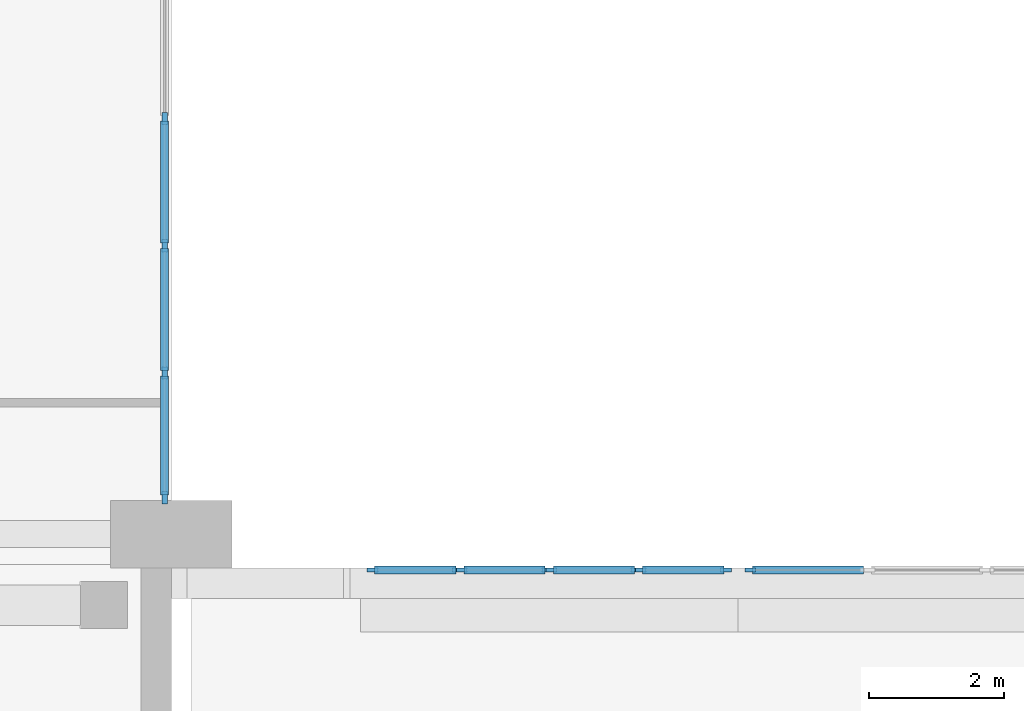
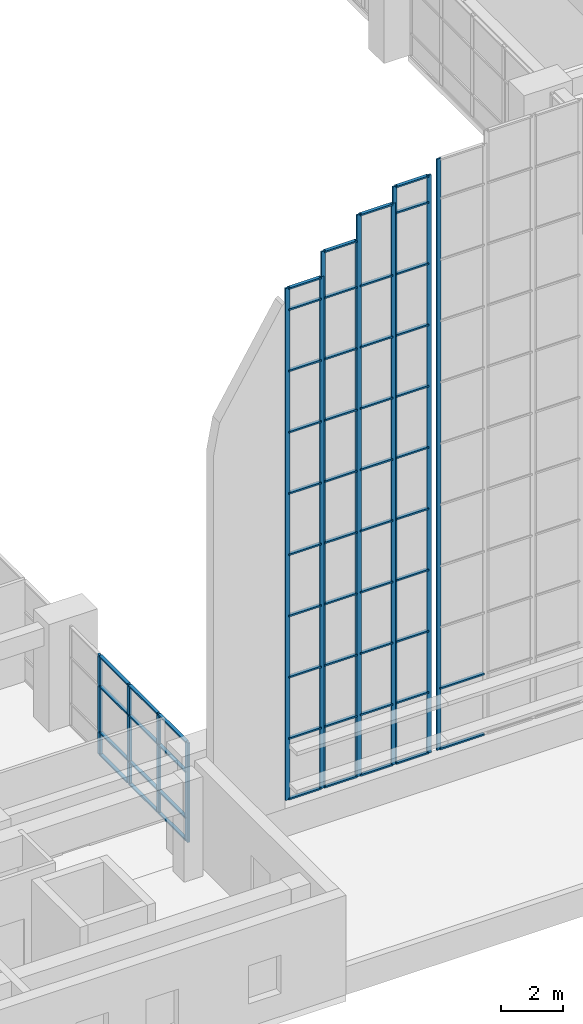
# One storey, part 2 of 45: 68 members, 6 elements without a shape of their own.
"""IFC4 building model written with IfcOpenShell, lengths in metres."""

from ifc_helpers import new_model, si_unit, direction, frame, origin, origin_2d, place, context, subcontext, project, spatial, rectangle, extrude, material, material_profile, profile_set, type_object, element, aggregate, save


model = new_model("IFC4")

# Units and contexts
model_context = context("Model", 3, precision=1e-05, world=origin(), true_north=direction((0.0, 1.0)))
body_context = subcontext(model_context, "Body", "Model", "MODEL_VIEW")
ifc_project = project(units=[si_unit("LENGTHUNIT", "METRE"), si_unit("AREAUNIT", "SQUARE_METRE"), si_unit("VOLUMEUNIT", "CUBIC_METRE"), si_unit("PLANEANGLEUNIT", "RADIAN"), si_unit("MASSUNIT", "GRAM", prefix="KILO")], contexts=[model_context])

# Site, building, storey
site_placement = place(None, origin())
site = spatial("IfcSite", under=ifc_project, at=site_placement, CompositionType="ELEMENT")
building_placement = place(site_placement, origin())
building = spatial("IfcBuilding", under=site, at=building_placement, Name="Elmora Arch Market Hall", CompositionType="ELEMENT")
storey_placement = place(building_placement, frame((0.0, 0.0, 6.0)))
storey = spatial("IfcBuildingStorey", under=building, at=storey_placement, Name="L01", CompositionType="ELEMENT", Elevation=6.0)

# Curtain wall, members
ifc_material_1 = material(Name="Aluminium", Category="aluminium")
curtain_wall_type_1 = type_object("IfcCurtainWallType", Name="Gable curtain wall", PredefinedType="NOTDEFINED", material=ifc_material_1)
curtain_wall_1_placement = place(storey_placement, origin())
curtain_wall_1 = element("IfcCurtainWall", 1, at=curtain_wall_1_placement, inside=storey, type_object=curtain_wall_type_1, Name="South gable glazing 1", PredefinedType="NOTDEFINED")
ifc_material_2 = material(Name="Aluminium", Category="aluminium")
ifc_material_profile_1 = material_profile(ifc_material_2, rectangle(XDim=0.06005859375, YDim=0.159912109375, at=origin_2d()), Name="AL 60x160")
ifc_profile_set_1 = profile_set([ifc_material_profile_1], Name="Aluminium")
member_type_1 = type_object("IfcMemberType", Name="Mullion 60x160", PredefinedType="MULLION", material=ifc_profile_set_1)
member_1_placement = place(storey_placement, frame((17.97998046875, 26.919921875, 1.199951171875), z_axis=(0.0, 0.0, 1.0), x_axis=(0.0, 1.0, 0.0)))
member_1 = element("IfcMember", 2, at=member_1_placement, type_object=member_type_1, Name="CW8 mullion 1", PredefinedType="MULLION", context=body_context, shape_type="SweptSolid", body=[
    extrude(rectangle(XDim=0.06005859375, YDim=0.159912109375, at=origin_2d()), origin(), (0.0, 0.0, 1.0), 20.05810546875),
])
member_2_placement = place(storey_placement, frame((19.2451171875, 26.919921875, 1.199951171875), z_axis=(0.0, 0.0, 1.0), x_axis=(0.0, 1.0, 0.0)))
member_2 = element("IfcMember", 3, at=member_2_placement, type_object=member_type_1, Name="CW8 mullion 2", PredefinedType="MULLION", context=body_context, shape_type="SweptSolid", body=[
    extrude(rectangle(XDim=0.06005859375, YDim=0.159912109375, at=origin_2d()), origin(), (0.0, 0.0, 1.0), 20.05810546875),
])

curtain_wall_2_placement = place(storey_placement, origin())
curtain_wall_2 = element("IfcCurtainWall", 4, at=curtain_wall_2_placement, inside=storey, type_object=curtain_wall_type_1, Name="South gable glazing 2", PredefinedType="NOTDEFINED")
member_3_placement = place(storey_placement, frame((19.304931640625, 26.919921875, 1.199951171875), z_axis=(0.0, 0.0, 1.0), x_axis=(0.0, 1.0, 0.0)))
member_3 = element("IfcMember", 5, at=member_3_placement, type_object=member_type_1, Name="CW8 mullion 1", PredefinedType="MULLION", context=body_context, shape_type="SweptSolid", body=[
    extrude(rectangle(XDim=0.06005859375, YDim=0.159912109375, at=origin_2d()), origin(), (0.0, 0.0, 1.0), 21.031982421875),
])
member_4_placement = place(storey_placement, frame((20.570068359375, 26.919921875, 1.199951171875), z_axis=(0.0, 0.0, 1.0), x_axis=(0.0, 1.0, 0.0)))
member_4 = element("IfcMember", 6, at=member_4_placement, type_object=member_type_1, Name="CW8 mullion 2", PredefinedType="MULLION", context=body_context, shape_type="SweptSolid", body=[
    extrude(rectangle(XDim=0.06005859375, YDim=0.159912109375, at=origin_2d()), origin(), (0.0, 0.0, 1.0), 21.031982421875),
])

curtain_wall_3_placement = place(storey_placement, origin())
curtain_wall_3 = element("IfcCurtainWall", 7, at=curtain_wall_3_placement, inside=storey, type_object=curtain_wall_type_1, Name="South gable glazing 3", PredefinedType="NOTDEFINED")
member_5_placement = place(storey_placement, frame((20.6298828125, 26.919921875, 1.199951171875), z_axis=(0.0, 0.0, 1.0), x_axis=(0.0, 1.0, 0.0)))
member_5 = element("IfcMember", 8, at=member_5_placement, type_object=member_type_1, Name="CW8 mullion 1", PredefinedType="MULLION", context=body_context, shape_type="SweptSolid", body=[
    extrude(rectangle(XDim=0.06005859375, YDim=0.159912109375, at=origin_2d()), origin(), (0.0, 0.0, 1.0), 22.007080078125),
])
member_6_placement = place(storey_placement, frame((21.89501953125, 26.919921875, 1.199951171875), z_axis=(0.0, 0.0, 1.0), x_axis=(0.0, 1.0, 0.0)))
member_6 = element("IfcMember", 9, at=member_6_placement, type_object=member_type_1, Name="CW8 mullion 2", PredefinedType="MULLION", context=body_context, shape_type="SweptSolid", body=[
    extrude(rectangle(XDim=0.06005859375, YDim=0.159912109375, at=origin_2d()), origin(), (0.0, 0.0, 1.0), 22.007080078125),
])

curtain_wall_4_placement = place(storey_placement, origin())
curtain_wall_4 = element("IfcCurtainWall", 10, at=curtain_wall_4_placement, inside=storey, type_object=curtain_wall_type_1, Name="South gable glazing 4", PredefinedType="NOTDEFINED")
member_7_placement = place(storey_placement, frame((21.955078125, 26.919921875, 1.199951171875), z_axis=(0.0, 0.0, 1.0), x_axis=(0.0, 1.0, 0.0)))
member_7 = element("IfcMember", 11, at=member_7_placement, type_object=member_type_1, Name="CW8 mullion 1", PredefinedType="MULLION", context=body_context, shape_type="SweptSolid", body=[
    extrude(rectangle(XDim=0.06005859375, YDim=0.159912109375, at=origin_2d()), origin(), (0.0, 0.0, 1.0), 22.64501953125),
])
member_8_placement = place(storey_placement, frame((23.219970703125, 26.919921875, 1.199951171875), z_axis=(0.0, 0.0, 1.0), x_axis=(0.0, 1.0, 0.0)))
member_8 = element("IfcMember", 12, at=member_8_placement, type_object=member_type_1, Name="CW8 mullion 2", PredefinedType="MULLION", context=body_context, shape_type="SweptSolid", body=[
    extrude(rectangle(XDim=0.06005859375, YDim=0.159912109375, at=origin_2d()), origin(), (0.0, 0.0, 1.0), 22.64501953125),
])

# Curtain wall, member
curtain_wall_5_placement = place(storey_placement, origin())
curtain_wall_5 = element("IfcCurtainWall", 13, at=curtain_wall_5_placement, inside=storey, type_object=curtain_wall_type_1, Name="South gable glazing 5", PredefinedType="NOTDEFINED")
member_9_placement = place(storey_placement, frame((23.580078125, 26.919921875, 1.199951171875), z_axis=(0.0, 0.0, 1.0), x_axis=(0.0, 1.0, 0.0)))
member_9 = element("IfcMember", 14, at=member_9_placement, type_object=member_type_1, Name="CW8 mullion 1", PredefinedType="MULLION", context=body_context, shape_type="SweptSolid", body=[
    extrude(rectangle(XDim=0.06005859375, YDim=0.159912109375, at=origin_2d()), origin(), (0.0, 0.0, 1.0), 23.157958984375),
])

# Curtain wall, members
ifc_material_3 = material(Name="Aluminium", Category="aluminium")
curtain_wall_type_2 = type_object("IfcCurtainWallType", Name="Hall front curtain wall", PredefinedType="NOTDEFINED", material=ifc_material_3)
curtain_wall_6_placement = place(storey_placement, origin())
curtain_wall_6 = element("IfcCurtainWall", 15, at=curtain_wall_6_placement, inside=storey, type_object=curtain_wall_type_2, Name="Wing front W L01 1", PredefinedType="NOTDEFINED")
ifc_material_4 = material(Name="Aluminium", Category="aluminium")
ifc_material_profile_2 = material_profile(ifc_material_4, rectangle(XDim=0.080078125, YDim=0.179931640625, at=origin_2d()), Name="AL 80x180")
ifc_profile_set_2 = profile_set([ifc_material_profile_2], Name="Aluminium")
member_type_2 = type_object("IfcMemberType", Name="Mullion 80x180", PredefinedType="MULLION", material=ifc_profile_set_2)
member_10_placement = place(storey_placement, frame((14.89990234375, 27.989990234375, 0.0), z_axis=(0.0, 0.0, 1.0), x_axis=(-1.0, 0.0, 0.0)))
member_10 = element("IfcMember", 16, at=member_10_placement, type_object=member_type_2, Name="CW2 mullion 1", PredefinedType="MULLION", context=body_context, shape_type="SweptSolid", body=[
    extrude(rectangle(XDim=0.080078125, YDim=0.179931640625, at=origin_2d()), origin(), (0.0, 0.0, 1.0), 3.89990234375),
])
member_11_placement = place(storey_placement, frame((14.89990234375, 29.83740234375, 0.0), z_axis=(0.0, 0.0, 1.0), x_axis=(-1.0, 0.0, 0.0)))
member_11 = element("IfcMember", 17, at=member_11_placement, type_object=member_type_2, Name="CW2 mullion 2", PredefinedType="MULLION", context=body_context, shape_type="SweptSolid", body=[
    extrude(rectangle(XDim=0.080078125, YDim=0.179931640625, at=origin_2d()), origin(), (0.0, 0.0, 1.0), 3.89990234375),
])
member_12_placement = place(storey_placement, frame((14.89990234375, 31.72509765625, 0.0), z_axis=(0.0, 0.0, 1.0), x_axis=(-1.0, 0.0, 0.0)))
member_12 = element("IfcMember", 18, at=member_12_placement, type_object=member_type_2, Name="CW2 mullion 3", PredefinedType="MULLION", context=body_context, shape_type="SweptSolid", body=[
    extrude(rectangle(XDim=0.080078125, YDim=0.179931640625, at=origin_2d()), origin(), (0.0, 0.0, 1.0), 3.89990234375),
])
member_13_placement = place(storey_placement, frame((14.89990234375, 33.612548828125, 0.0), z_axis=(0.0, 0.0, 1.0), x_axis=(-1.0, 0.0, 0.0)))
member_13 = element("IfcMember", 19, at=member_13_placement, type_object=member_type_2, Name="CW2 mullion 4", PredefinedType="MULLION", context=body_context, shape_type="SweptSolid", body=[
    extrude(rectangle(XDim=0.080078125, YDim=0.179931640625, at=origin_2d()), origin(), (0.0, 0.0, 1.0), 3.89990234375),
])
ifc_material_5 = material(Name="Aluminium", Category="aluminium")
ifc_material_profile_3 = material_profile(ifc_material_5, rectangle(XDim=0.1201171875, YDim=0.06005859375, at=origin_2d()), Name="AL 120x60")
ifc_profile_set_3 = profile_set([ifc_material_profile_3], Name="Aluminium")
member_type_3 = type_object("IfcMemberType", Name="Transom 120x60", PredefinedType="USERDEFINED", material=ifc_profile_set_3)
member_14_placement = place(storey_placement, frame((14.89990234375, 28.030029296875, 0.030029296875), z_axis=(0.0, 1.0, 0.0), x_axis=(-1.0, 0.0, 0.0)))
member_14 = element("IfcMember", 20, at=member_14_placement, type_object=member_type_3, Name="CW2 transom 1.1", ObjectType="TRANSOM", PredefinedType="USERDEFINED", context=body_context, shape_type="SweptSolid", body=[
    extrude(rectangle(XDim=0.1201171875, YDim=0.06005859375, at=origin_2d()), origin(), (0.0, 0.0, 1.0), 1.767578125),
])
member_15_placement = place(storey_placement, frame((14.89990234375, 28.030029296875, 0.89990234375), z_axis=(0.0, 1.0, 0.0), x_axis=(-1.0, 0.0, 0.0)))
member_15 = element("IfcMember", 21, at=member_15_placement, type_object=member_type_3, Name="CW2 transom 1.2", ObjectType="TRANSOM", PredefinedType="USERDEFINED", context=body_context, shape_type="SweptSolid", body=[
    extrude(rectangle(XDim=0.1201171875, YDim=0.06005859375, at=origin_2d()), origin(), (0.0, 0.0, 1.0), 1.767578125),
])
member_16_placement = place(storey_placement, frame((14.89990234375, 28.030029296875, 2.699951171875), z_axis=(0.0, 1.0, 0.0), x_axis=(-1.0, 0.0, 0.0)))
member_16 = element("IfcMember", 22, at=member_16_placement, type_object=member_type_3, Name="CW2 transom 1.3", ObjectType="TRANSOM", PredefinedType="USERDEFINED", context=body_context, shape_type="SweptSolid", body=[
    extrude(rectangle(XDim=0.1201171875, YDim=0.06005859375, at=origin_2d()), origin(), (0.0, 0.0, 1.0), 1.767578125),
])
member_17_placement = place(storey_placement, frame((14.89990234375, 28.030029296875, 3.8701171875), z_axis=(0.0, 1.0, 0.0), x_axis=(-1.0, 0.0, 0.0)))
member_17 = element("IfcMember", 23, at=member_17_placement, type_object=member_type_3, Name="CW2 transom 1.4", ObjectType="TRANSOM", PredefinedType="USERDEFINED", context=body_context, shape_type="SweptSolid", body=[
    extrude(rectangle(XDim=0.1201171875, YDim=0.06005859375, at=origin_2d()), origin(), (0.0, 0.0, 1.0), 1.767578125),
])
member_18_placement = place(storey_placement, frame((14.89990234375, 29.87744140625, 0.030029296875), z_axis=(0.0, 1.0, 0.0), x_axis=(-1.0, 0.0, 0.0)))
member_18 = element("IfcMember", 24, at=member_18_placement, type_object=member_type_3, Name="CW2 transom 2.1", ObjectType="TRANSOM", PredefinedType="USERDEFINED", context=body_context, shape_type="SweptSolid", body=[
    extrude(rectangle(XDim=0.1201171875, YDim=0.06005859375, at=origin_2d()), origin(), (0.0, 0.0, 1.0), 1.8076171875),
])
member_19_placement = place(storey_placement, frame((14.89990234375, 29.87744140625, 0.89990234375), z_axis=(0.0, 1.0, 0.0), x_axis=(-1.0, 0.0, 0.0)))
member_19 = element("IfcMember", 25, at=member_19_placement, type_object=member_type_3, Name="CW2 transom 2.2", ObjectType="TRANSOM", PredefinedType="USERDEFINED", context=body_context, shape_type="SweptSolid", body=[
    extrude(rectangle(XDim=0.1201171875, YDim=0.06005859375, at=origin_2d()), origin(), (0.0, 0.0, 1.0), 1.8076171875),
])
member_20_placement = place(storey_placement, frame((14.89990234375, 29.87744140625, 2.699951171875), z_axis=(0.0, 1.0, 0.0), x_axis=(-1.0, 0.0, 0.0)))
member_20 = element("IfcMember", 26, at=member_20_placement, type_object=member_type_3, Name="CW2 transom 2.3", ObjectType="TRANSOM", PredefinedType="USERDEFINED", context=body_context, shape_type="SweptSolid", body=[
    extrude(rectangle(XDim=0.1201171875, YDim=0.06005859375, at=origin_2d()), origin(), (0.0, 0.0, 1.0), 1.8076171875),
])
member_21_placement = place(storey_placement, frame((14.89990234375, 29.87744140625, 3.8701171875), z_axis=(0.0, 1.0, 0.0), x_axis=(-1.0, 0.0, 0.0)))
member_21 = element("IfcMember", 27, at=member_21_placement, type_object=member_type_3, Name="CW2 transom 2.4", ObjectType="TRANSOM", PredefinedType="USERDEFINED", context=body_context, shape_type="SweptSolid", body=[
    extrude(rectangle(XDim=0.1201171875, YDim=0.06005859375, at=origin_2d()), origin(), (0.0, 0.0, 1.0), 1.8076171875),
])
member_22_placement = place(storey_placement, frame((14.89990234375, 31.764892578125, 0.030029296875), z_axis=(0.0, 1.0, 0.0), x_axis=(-1.0, 0.0, 0.0)))
member_22 = element("IfcMember", 28, at=member_22_placement, type_object=member_type_3, Name="CW2 transom 3.1", ObjectType="TRANSOM", PredefinedType="USERDEFINED", context=body_context, shape_type="SweptSolid", body=[
    extrude(rectangle(XDim=0.1201171875, YDim=0.06005859375, at=origin_2d()), origin(), (0.0, 0.0, 1.0), 1.8076171875),
])
member_23_placement = place(storey_placement, frame((14.89990234375, 31.764892578125, 0.89990234375), z_axis=(0.0, 1.0, 0.0), x_axis=(-1.0, 0.0, 0.0)))
member_23 = element("IfcMember", 29, at=member_23_placement, type_object=member_type_3, Name="CW2 transom 3.2", ObjectType="TRANSOM", PredefinedType="USERDEFINED", context=body_context, shape_type="SweptSolid", body=[
    extrude(rectangle(XDim=0.1201171875, YDim=0.06005859375, at=origin_2d()), origin(), (0.0, 0.0, 1.0), 1.8076171875),
])
member_24_placement = place(storey_placement, frame((14.89990234375, 31.764892578125, 2.699951171875), z_axis=(0.0, 1.0, 0.0), x_axis=(-1.0, 0.0, 0.0)))
member_24 = element("IfcMember", 30, at=member_24_placement, type_object=member_type_3, Name="CW2 transom 3.3", ObjectType="TRANSOM", PredefinedType="USERDEFINED", context=body_context, shape_type="SweptSolid", body=[
    extrude(rectangle(XDim=0.1201171875, YDim=0.06005859375, at=origin_2d()), origin(), (0.0, 0.0, 1.0), 1.8076171875),
])
member_25_placement = place(storey_placement, frame((14.89990234375, 31.764892578125, 3.8701171875), z_axis=(0.0, 1.0, 0.0), x_axis=(-1.0, 0.0, 0.0)))
member_25 = element("IfcMember", 31, at=member_25_placement, type_object=member_type_3, Name="CW2 transom 3.4", ObjectType="TRANSOM", PredefinedType="USERDEFINED", context=body_context, shape_type="SweptSolid", body=[
    extrude(rectangle(XDim=0.1201171875, YDim=0.06005859375, at=origin_2d()), origin(), (0.0, 0.0, 1.0), 1.8076171875),
])
aggregate(curtain_wall_6, [member_10, member_11, member_12, member_13, member_14, member_15, member_16, member_17, member_18, member_19, member_20, member_21, member_22, member_23, member_24, member_25])

# Member
member_26_placement = place(storey_placement, frame((18.010009765625, 26.919921875, 1.22998046875), z_axis=(1.0, 0.0, 0.0), x_axis=(0.0, 1.0, 0.0)))
member_26 = element("IfcMember", 32, at=member_26_placement, type_object=member_type_3, Name="CW8 transom 1.1", ObjectType="TRANSOM", PredefinedType="USERDEFINED", context=body_context, shape_type="SweptSolid", body=[
    extrude(rectangle(XDim=0.1201171875, YDim=0.06005859375, at=origin_2d()), origin(), (0.0, 0.0, 1.0), 1.205078125),
])

member_27_placement = place(storey_placement, frame((18.010009765625, 26.919921875, 3.60009765625), z_axis=(1.0, 0.0, 0.0), x_axis=(0.0, 1.0, 0.0)))
member_27 = element("IfcMember", 33, at=member_27_placement, type_object=member_type_3, Name="CW8 transom 1.2", ObjectType="TRANSOM", PredefinedType="USERDEFINED", context=body_context, shape_type="SweptSolid", body=[
    extrude(rectangle(XDim=0.1201171875, YDim=0.06005859375, at=origin_2d()), origin(), (0.0, 0.0, 1.0), 1.205078125),
])

member_28_placement = place(storey_placement, frame((18.010009765625, 26.919921875, 6.0), z_axis=(1.0, 0.0, 0.0), x_axis=(0.0, 1.0, 0.0)))
member_28 = element("IfcMember", 34, at=member_28_placement, type_object=member_type_3, Name="CW8 transom 1.3", ObjectType="TRANSOM", PredefinedType="USERDEFINED", context=body_context, shape_type="SweptSolid", body=[
    extrude(rectangle(XDim=0.1201171875, YDim=0.06005859375, at=origin_2d()), origin(), (0.0, 0.0, 1.0), 1.205078125),
])

member_29_placement = place(storey_placement, frame((18.010009765625, 26.919921875, 8.39990234375), z_axis=(1.0, 0.0, 0.0), x_axis=(0.0, 1.0, 0.0)))
member_29 = element("IfcMember", 35, at=member_29_placement, type_object=member_type_3, Name="CW8 transom 1.4", ObjectType="TRANSOM", PredefinedType="USERDEFINED", context=body_context, shape_type="SweptSolid", body=[
    extrude(rectangle(XDim=0.1201171875, YDim=0.06005859375, at=origin_2d()), origin(), (0.0, 0.0, 1.0), 1.205078125),
])

member_30_placement = place(storey_placement, frame((18.010009765625, 26.919921875, 10.800048828125), z_axis=(1.0, 0.0, 0.0), x_axis=(0.0, 1.0, 0.0)))
member_30 = element("IfcMember", 36, at=member_30_placement, type_object=member_type_3, Name="CW8 transom 1.5", ObjectType="TRANSOM", PredefinedType="USERDEFINED", context=body_context, shape_type="SweptSolid", body=[
    extrude(rectangle(XDim=0.1201171875, YDim=0.06005859375, at=origin_2d()), origin(), (0.0, 0.0, 1.0), 1.205078125),
])

member_31_placement = place(storey_placement, frame((18.010009765625, 26.919921875, 13.199951171875), z_axis=(1.0, 0.0, 0.0), x_axis=(0.0, 1.0, 0.0)))
member_31 = element("IfcMember", 37, at=member_31_placement, type_object=member_type_3, Name="CW8 transom 1.6", ObjectType="TRANSOM", PredefinedType="USERDEFINED", context=body_context, shape_type="SweptSolid", body=[
    extrude(rectangle(XDim=0.1201171875, YDim=0.06005859375, at=origin_2d()), origin(), (0.0, 0.0, 1.0), 1.205078125),
])

member_32_placement = place(storey_placement, frame((18.010009765625, 26.919921875, 15.60009765625), z_axis=(1.0, 0.0, 0.0), x_axis=(0.0, 1.0, 0.0)))
member_32 = element("IfcMember", 38, at=member_32_placement, type_object=member_type_3, Name="CW8 transom 1.7", ObjectType="TRANSOM", PredefinedType="USERDEFINED", context=body_context, shape_type="SweptSolid", body=[
    extrude(rectangle(XDim=0.1201171875, YDim=0.06005859375, at=origin_2d()), origin(), (0.0, 0.0, 1.0), 1.205078125),
])

member_33_placement = place(storey_placement, frame((18.010009765625, 26.919921875, 18.0), z_axis=(1.0, 0.0, 0.0), x_axis=(0.0, 1.0, 0.0)))
member_33 = element("IfcMember", 39, at=member_33_placement, type_object=member_type_3, Name="CW8 transom 1.8", ObjectType="TRANSOM", PredefinedType="USERDEFINED", context=body_context, shape_type="SweptSolid", body=[
    extrude(rectangle(XDim=0.1201171875, YDim=0.06005859375, at=origin_2d()), origin(), (0.0, 0.0, 1.0), 1.205078125),
])

member_34_placement = place(storey_placement, frame((18.010009765625, 26.919921875, 20.39990234375), z_axis=(1.0, 0.0, 0.0), x_axis=(0.0, 1.0, 0.0)))
member_34 = element("IfcMember", 40, at=member_34_placement, type_object=member_type_3, Name="CW8 transom 1.9", ObjectType="TRANSOM", PredefinedType="USERDEFINED", context=body_context, shape_type="SweptSolid", body=[
    extrude(rectangle(XDim=0.1201171875, YDim=0.06005859375, at=origin_2d()), origin(), (0.0, 0.0, 1.0), 1.205078125),
])

member_35_placement = place(storey_placement, frame((18.010009765625, 26.919921875, 21.22802734375), z_axis=(1.0, 0.0, 0.0), x_axis=(0.0, 1.0, 0.0)))
member_35 = element("IfcMember", 41, at=member_35_placement, type_object=member_type_3, Name="CW8 transom 1.10", ObjectType="TRANSOM", PredefinedType="USERDEFINED", context=body_context, shape_type="SweptSolid", body=[
    extrude(rectangle(XDim=0.1201171875, YDim=0.06005859375, at=origin_2d()), origin(), (0.0, 0.0, 1.0), 1.205078125),
])

aggregate(curtain_wall_1, [member_1, member_2, member_26, member_27, member_28, member_29, member_30, member_31, member_32, member_33, member_34, member_35])

member_36_placement = place(storey_placement, frame((19.3349609375, 26.919921875, 1.22998046875), z_axis=(1.0, 0.0, 0.0), x_axis=(0.0, 1.0, 0.0)))
member_36 = element("IfcMember", 42, at=member_36_placement, type_object=member_type_3, Name="CW8 transom 1.1", ObjectType="TRANSOM", PredefinedType="USERDEFINED", context=body_context, shape_type="SweptSolid", body=[
    extrude(rectangle(XDim=0.1201171875, YDim=0.06005859375, at=origin_2d()), origin(), (0.0, 0.0, 1.0), 1.205078125),
])

member_37_placement = place(storey_placement, frame((19.3349609375, 26.919921875, 3.60009765625), z_axis=(1.0, 0.0, 0.0), x_axis=(0.0, 1.0, 0.0)))
member_37 = element("IfcMember", 43, at=member_37_placement, type_object=member_type_3, Name="CW8 transom 1.2", ObjectType="TRANSOM", PredefinedType="USERDEFINED", context=body_context, shape_type="SweptSolid", body=[
    extrude(rectangle(XDim=0.1201171875, YDim=0.06005859375, at=origin_2d()), origin(), (0.0, 0.0, 1.0), 1.205078125),
])

member_38_placement = place(storey_placement, frame((19.3349609375, 26.919921875, 6.0), z_axis=(1.0, 0.0, 0.0), x_axis=(0.0, 1.0, 0.0)))
member_38 = element("IfcMember", 44, at=member_38_placement, type_object=member_type_3, Name="CW8 transom 1.3", ObjectType="TRANSOM", PredefinedType="USERDEFINED", context=body_context, shape_type="SweptSolid", body=[
    extrude(rectangle(XDim=0.1201171875, YDim=0.06005859375, at=origin_2d()), origin(), (0.0, 0.0, 1.0), 1.205078125),
])

member_39_placement = place(storey_placement, frame((19.3349609375, 26.919921875, 8.39990234375), z_axis=(1.0, 0.0, 0.0), x_axis=(0.0, 1.0, 0.0)))
member_39 = element("IfcMember", 45, at=member_39_placement, type_object=member_type_3, Name="CW8 transom 1.4", ObjectType="TRANSOM", PredefinedType="USERDEFINED", context=body_context, shape_type="SweptSolid", body=[
    extrude(rectangle(XDim=0.1201171875, YDim=0.06005859375, at=origin_2d()), origin(), (0.0, 0.0, 1.0), 1.205078125),
])

member_40_placement = place(storey_placement, frame((19.3349609375, 26.919921875, 10.800048828125), z_axis=(1.0, 0.0, 0.0), x_axis=(0.0, 1.0, 0.0)))
member_40 = element("IfcMember", 46, at=member_40_placement, type_object=member_type_3, Name="CW8 transom 1.5", ObjectType="TRANSOM", PredefinedType="USERDEFINED", context=body_context, shape_type="SweptSolid", body=[
    extrude(rectangle(XDim=0.1201171875, YDim=0.06005859375, at=origin_2d()), origin(), (0.0, 0.0, 1.0), 1.205078125),
])

member_41_placement = place(storey_placement, frame((19.3349609375, 26.919921875, 13.199951171875), z_axis=(1.0, 0.0, 0.0), x_axis=(0.0, 1.0, 0.0)))
member_41 = element("IfcMember", 47, at=member_41_placement, type_object=member_type_3, Name="CW8 transom 1.6", ObjectType="TRANSOM", PredefinedType="USERDEFINED", context=body_context, shape_type="SweptSolid", body=[
    extrude(rectangle(XDim=0.1201171875, YDim=0.06005859375, at=origin_2d()), origin(), (0.0, 0.0, 1.0), 1.205078125),
])

member_42_placement = place(storey_placement, frame((19.3349609375, 26.919921875, 15.60009765625), z_axis=(1.0, 0.0, 0.0), x_axis=(0.0, 1.0, 0.0)))
member_42 = element("IfcMember", 48, at=member_42_placement, type_object=member_type_3, Name="CW8 transom 1.7", ObjectType="TRANSOM", PredefinedType="USERDEFINED", context=body_context, shape_type="SweptSolid", body=[
    extrude(rectangle(XDim=0.1201171875, YDim=0.06005859375, at=origin_2d()), origin(), (0.0, 0.0, 1.0), 1.205078125),
])

member_43_placement = place(storey_placement, frame((19.3349609375, 26.919921875, 18.0), z_axis=(1.0, 0.0, 0.0), x_axis=(0.0, 1.0, 0.0)))
member_43 = element("IfcMember", 49, at=member_43_placement, type_object=member_type_3, Name="CW8 transom 1.8", ObjectType="TRANSOM", PredefinedType="USERDEFINED", context=body_context, shape_type="SweptSolid", body=[
    extrude(rectangle(XDim=0.1201171875, YDim=0.06005859375, at=origin_2d()), origin(), (0.0, 0.0, 1.0), 1.205078125),
])

member_44_placement = place(storey_placement, frame((19.3349609375, 26.919921875, 20.39990234375), z_axis=(1.0, 0.0, 0.0), x_axis=(0.0, 1.0, 0.0)))
member_44 = element("IfcMember", 50, at=member_44_placement, type_object=member_type_3, Name="CW8 transom 1.9", ObjectType="TRANSOM", PredefinedType="USERDEFINED", context=body_context, shape_type="SweptSolid", body=[
    extrude(rectangle(XDim=0.1201171875, YDim=0.06005859375, at=origin_2d()), origin(), (0.0, 0.0, 1.0), 1.205078125),
])

member_45_placement = place(storey_placement, frame((19.3349609375, 26.919921875, 22.201904296875), z_axis=(1.0, 0.0, 0.0), x_axis=(0.0, 1.0, 0.0)))
member_45 = element("IfcMember", 51, at=member_45_placement, type_object=member_type_3, Name="CW8 transom 1.10", ObjectType="TRANSOM", PredefinedType="USERDEFINED", context=body_context, shape_type="SweptSolid", body=[
    extrude(rectangle(XDim=0.1201171875, YDim=0.06005859375, at=origin_2d()), origin(), (0.0, 0.0, 1.0), 1.205078125),
])

aggregate(curtain_wall_2, [member_3, member_4, member_36, member_37, member_38, member_39, member_40, member_41, member_42, member_43, member_44, member_45])

member_46_placement = place(storey_placement, frame((20.659912109375, 26.919921875, 1.22998046875), z_axis=(1.0, 0.0, 0.0), x_axis=(0.0, 1.0, 0.0)))
member_46 = element("IfcMember", 52, at=member_46_placement, type_object=member_type_3, Name="CW8 transom 1.1", ObjectType="TRANSOM", PredefinedType="USERDEFINED", context=body_context, shape_type="SweptSolid", body=[
    extrude(rectangle(XDim=0.1201171875, YDim=0.06005859375, at=origin_2d()), origin(), (0.0, 0.0, 1.0), 1.205078125),
])

member_47_placement = place(storey_placement, frame((20.659912109375, 26.919921875, 3.60009765625), z_axis=(1.0, 0.0, 0.0), x_axis=(0.0, 1.0, 0.0)))
member_47 = element("IfcMember", 53, at=member_47_placement, type_object=member_type_3, Name="CW8 transom 1.2", ObjectType="TRANSOM", PredefinedType="USERDEFINED", context=body_context, shape_type="SweptSolid", body=[
    extrude(rectangle(XDim=0.1201171875, YDim=0.06005859375, at=origin_2d()), origin(), (0.0, 0.0, 1.0), 1.205078125),
])

member_48_placement = place(storey_placement, frame((20.659912109375, 26.919921875, 6.0), z_axis=(1.0, 0.0, 0.0), x_axis=(0.0, 1.0, 0.0)))
member_48 = element("IfcMember", 54, at=member_48_placement, type_object=member_type_3, Name="CW8 transom 1.3", ObjectType="TRANSOM", PredefinedType="USERDEFINED", context=body_context, shape_type="SweptSolid", body=[
    extrude(rectangle(XDim=0.1201171875, YDim=0.06005859375, at=origin_2d()), origin(), (0.0, 0.0, 1.0), 1.205078125),
])

member_49_placement = place(storey_placement, frame((20.659912109375, 26.919921875, 8.39990234375), z_axis=(1.0, 0.0, 0.0), x_axis=(0.0, 1.0, 0.0)))
member_49 = element("IfcMember", 55, at=member_49_placement, type_object=member_type_3, Name="CW8 transom 1.4", ObjectType="TRANSOM", PredefinedType="USERDEFINED", context=body_context, shape_type="SweptSolid", body=[
    extrude(rectangle(XDim=0.1201171875, YDim=0.06005859375, at=origin_2d()), origin(), (0.0, 0.0, 1.0), 1.205078125),
])

member_50_placement = place(storey_placement, frame((20.659912109375, 26.919921875, 10.800048828125), z_axis=(1.0, 0.0, 0.0), x_axis=(0.0, 1.0, 0.0)))
member_50 = element("IfcMember", 56, at=member_50_placement, type_object=member_type_3, Name="CW8 transom 1.5", ObjectType="TRANSOM", PredefinedType="USERDEFINED", context=body_context, shape_type="SweptSolid", body=[
    extrude(rectangle(XDim=0.1201171875, YDim=0.06005859375, at=origin_2d()), origin(), (0.0, 0.0, 1.0), 1.205078125),
])

member_51_placement = place(storey_placement, frame((20.659912109375, 26.919921875, 13.199951171875), z_axis=(1.0, 0.0, 0.0), x_axis=(0.0, 1.0, 0.0)))
member_51 = element("IfcMember", 57, at=member_51_placement, type_object=member_type_3, Name="CW8 transom 1.6", ObjectType="TRANSOM", PredefinedType="USERDEFINED", context=body_context, shape_type="SweptSolid", body=[
    extrude(rectangle(XDim=0.1201171875, YDim=0.06005859375, at=origin_2d()), origin(), (0.0, 0.0, 1.0), 1.205078125),
])

member_52_placement = place(storey_placement, frame((20.659912109375, 26.919921875, 15.60009765625), z_axis=(1.0, 0.0, 0.0), x_axis=(0.0, 1.0, 0.0)))
member_52 = element("IfcMember", 58, at=member_52_placement, type_object=member_type_3, Name="CW8 transom 1.7", ObjectType="TRANSOM", PredefinedType="USERDEFINED", context=body_context, shape_type="SweptSolid", body=[
    extrude(rectangle(XDim=0.1201171875, YDim=0.06005859375, at=origin_2d()), origin(), (0.0, 0.0, 1.0), 1.205078125),
])

member_53_placement = place(storey_placement, frame((20.659912109375, 26.919921875, 18.0), z_axis=(1.0, 0.0, 0.0), x_axis=(0.0, 1.0, 0.0)))
member_53 = element("IfcMember", 59, at=member_53_placement, type_object=member_type_3, Name="CW8 transom 1.8", ObjectType="TRANSOM", PredefinedType="USERDEFINED", context=body_context, shape_type="SweptSolid", body=[
    extrude(rectangle(XDim=0.1201171875, YDim=0.06005859375, at=origin_2d()), origin(), (0.0, 0.0, 1.0), 1.205078125),
])

member_54_placement = place(storey_placement, frame((20.659912109375, 26.919921875, 20.39990234375), z_axis=(1.0, 0.0, 0.0), x_axis=(0.0, 1.0, 0.0)))
member_54 = element("IfcMember", 60, at=member_54_placement, type_object=member_type_3, Name="CW8 transom 1.9", ObjectType="TRANSOM", PredefinedType="USERDEFINED", context=body_context, shape_type="SweptSolid", body=[
    extrude(rectangle(XDim=0.1201171875, YDim=0.06005859375, at=origin_2d()), origin(), (0.0, 0.0, 1.0), 1.205078125),
])

member_55_placement = place(storey_placement, frame((20.659912109375, 26.919921875, 23.177001953125), z_axis=(1.0, 0.0, 0.0), x_axis=(0.0, 1.0, 0.0)))
member_55 = element("IfcMember", 61, at=member_55_placement, type_object=member_type_3, Name="CW8 transom 1.10", ObjectType="TRANSOM", PredefinedType="USERDEFINED", context=body_context, shape_type="SweptSolid", body=[
    extrude(rectangle(XDim=0.1201171875, YDim=0.06005859375, at=origin_2d()), origin(), (0.0, 0.0, 1.0), 1.205078125),
])

aggregate(curtain_wall_3, [member_5, member_6, member_46, member_47, member_48, member_49, member_50, member_51, member_52, member_53, member_54, member_55])

member_56_placement = place(storey_placement, frame((21.985107421875, 26.919921875, 1.22998046875), z_axis=(1.0, 0.0, 0.0), x_axis=(0.0, 1.0, 0.0)))
member_56 = element("IfcMember", 62, at=member_56_placement, type_object=member_type_3, Name="CW8 transom 1.1", ObjectType="TRANSOM", PredefinedType="USERDEFINED", context=body_context, shape_type="SweptSolid", body=[
    extrude(rectangle(XDim=0.1201171875, YDim=0.06005859375, at=origin_2d()), origin(), (0.0, 0.0, 1.0), 1.204833984375),
])

member_57_placement = place(storey_placement, frame((21.985107421875, 26.919921875, 3.60009765625), z_axis=(1.0, 0.0, 0.0), x_axis=(0.0, 1.0, 0.0)))
member_57 = element("IfcMember", 63, at=member_57_placement, type_object=member_type_3, Name="CW8 transom 1.2", ObjectType="TRANSOM", PredefinedType="USERDEFINED", context=body_context, shape_type="SweptSolid", body=[
    extrude(rectangle(XDim=0.1201171875, YDim=0.06005859375, at=origin_2d()), origin(), (0.0, 0.0, 1.0), 1.204833984375),
])

member_58_placement = place(storey_placement, frame((21.985107421875, 26.919921875, 6.0), z_axis=(1.0, 0.0, 0.0), x_axis=(0.0, 1.0, 0.0)))
member_58 = element("IfcMember", 64, at=member_58_placement, type_object=member_type_3, Name="CW8 transom 1.3", ObjectType="TRANSOM", PredefinedType="USERDEFINED", context=body_context, shape_type="SweptSolid", body=[
    extrude(rectangle(XDim=0.1201171875, YDim=0.06005859375, at=origin_2d()), origin(), (0.0, 0.0, 1.0), 1.204833984375),
])

member_59_placement = place(storey_placement, frame((21.985107421875, 26.919921875, 8.39990234375), z_axis=(1.0, 0.0, 0.0), x_axis=(0.0, 1.0, 0.0)))
member_59 = element("IfcMember", 65, at=member_59_placement, type_object=member_type_3, Name="CW8 transom 1.4", ObjectType="TRANSOM", PredefinedType="USERDEFINED", context=body_context, shape_type="SweptSolid", body=[
    extrude(rectangle(XDim=0.1201171875, YDim=0.06005859375, at=origin_2d()), origin(), (0.0, 0.0, 1.0), 1.204833984375),
])

member_60_placement = place(storey_placement, frame((21.985107421875, 26.919921875, 10.800048828125), z_axis=(1.0, 0.0, 0.0), x_axis=(0.0, 1.0, 0.0)))
member_60 = element("IfcMember", 66, at=member_60_placement, type_object=member_type_3, Name="CW8 transom 1.5", ObjectType="TRANSOM", PredefinedType="USERDEFINED", context=body_context, shape_type="SweptSolid", body=[
    extrude(rectangle(XDim=0.1201171875, YDim=0.06005859375, at=origin_2d()), origin(), (0.0, 0.0, 1.0), 1.204833984375),
])

member_61_placement = place(storey_placement, frame((21.985107421875, 26.919921875, 13.199951171875), z_axis=(1.0, 0.0, 0.0), x_axis=(0.0, 1.0, 0.0)))
member_61 = element("IfcMember", 67, at=member_61_placement, type_object=member_type_3, Name="CW8 transom 1.6", ObjectType="TRANSOM", PredefinedType="USERDEFINED", context=body_context, shape_type="SweptSolid", body=[
    extrude(rectangle(XDim=0.1201171875, YDim=0.06005859375, at=origin_2d()), origin(), (0.0, 0.0, 1.0), 1.204833984375),
])

member_62_placement = place(storey_placement, frame((21.985107421875, 26.919921875, 15.60009765625), z_axis=(1.0, 0.0, 0.0), x_axis=(0.0, 1.0, 0.0)))
member_62 = element("IfcMember", 68, at=member_62_placement, type_object=member_type_3, Name="CW8 transom 1.7", ObjectType="TRANSOM", PredefinedType="USERDEFINED", context=body_context, shape_type="SweptSolid", body=[
    extrude(rectangle(XDim=0.1201171875, YDim=0.06005859375, at=origin_2d()), origin(), (0.0, 0.0, 1.0), 1.204833984375),
])

member_63_placement = place(storey_placement, frame((21.985107421875, 26.919921875, 18.0), z_axis=(1.0, 0.0, 0.0), x_axis=(0.0, 1.0, 0.0)))
member_63 = element("IfcMember", 69, at=member_63_placement, type_object=member_type_3, Name="CW8 transom 1.8", ObjectType="TRANSOM", PredefinedType="USERDEFINED", context=body_context, shape_type="SweptSolid", body=[
    extrude(rectangle(XDim=0.1201171875, YDim=0.06005859375, at=origin_2d()), origin(), (0.0, 0.0, 1.0), 1.204833984375),
])

member_64_placement = place(storey_placement, frame((21.985107421875, 26.919921875, 20.39990234375), z_axis=(1.0, 0.0, 0.0), x_axis=(0.0, 1.0, 0.0)))
member_64 = element("IfcMember", 70, at=member_64_placement, type_object=member_type_3, Name="CW8 transom 1.9", ObjectType="TRANSOM", PredefinedType="USERDEFINED", context=body_context, shape_type="SweptSolid", body=[
    extrude(rectangle(XDim=0.1201171875, YDim=0.06005859375, at=origin_2d()), origin(), (0.0, 0.0, 1.0), 1.204833984375),
])

member_65_placement = place(storey_placement, frame((21.985107421875, 26.919921875, 22.800048828125), z_axis=(1.0, 0.0, 0.0), x_axis=(0.0, 1.0, 0.0)))
member_65 = element("IfcMember", 71, at=member_65_placement, type_object=member_type_3, Name="CW8 transom 1.10", ObjectType="TRANSOM", PredefinedType="USERDEFINED", context=body_context, shape_type="SweptSolid", body=[
    extrude(rectangle(XDim=0.1201171875, YDim=0.06005859375, at=origin_2d()), origin(), (0.0, 0.0, 1.0), 1.204833984375),
])

member_66_placement = place(storey_placement, frame((21.985107421875, 26.919921875, 23.81494140625), z_axis=(1.0, 0.0, 0.0), x_axis=(0.0, 1.0, 0.0)))
member_66 = element("IfcMember", 72, at=member_66_placement, type_object=member_type_3, Name="CW8 transom 1.11", ObjectType="TRANSOM", PredefinedType="USERDEFINED", context=body_context, shape_type="SweptSolid", body=[
    extrude(rectangle(XDim=0.1201171875, YDim=0.06005859375, at=origin_2d()), origin(), (0.0, 0.0, 1.0), 1.204833984375),
])

aggregate(curtain_wall_4, [member_7, member_8, member_56, member_57, member_58, member_59, member_60, member_61, member_62, member_63, member_64, member_65, member_66])

member_67_placement = place(storey_placement, frame((23.610107421875, 26.919921875, 1.22998046875), z_axis=(1.0, 0.0, 0.0), x_axis=(0.0, 1.0, 0.0)))
member_67 = element("IfcMember", 73, at=member_67_placement, type_object=member_type_3, Name="CW8 transom 1.1", ObjectType="TRANSOM", PredefinedType="USERDEFINED", context=body_context, shape_type="SweptSolid", body=[
    extrude(rectangle(XDim=0.1201171875, YDim=0.06005859375, at=origin_2d()), origin(), (0.0, 0.0, 1.0), 1.646484375),
])

member_68_placement = place(storey_placement, frame((23.610107421875, 26.919921875, 3.60009765625), z_axis=(1.0, 0.0, 0.0), x_axis=(0.0, 1.0, 0.0)))
member_68 = element("IfcMember", 74, at=member_68_placement, type_object=member_type_3, Name="CW8 transom 1.2", ObjectType="TRANSOM", PredefinedType="USERDEFINED", context=body_context, shape_type="SweptSolid", body=[
    extrude(rectangle(XDim=0.1201171875, YDim=0.06005859375, at=origin_2d()), origin(), (0.0, 0.0, 1.0), 1.646484375),
])

aggregate(curtain_wall_5, [member_9, member_67, member_68])

save(model, "model.ifc")
